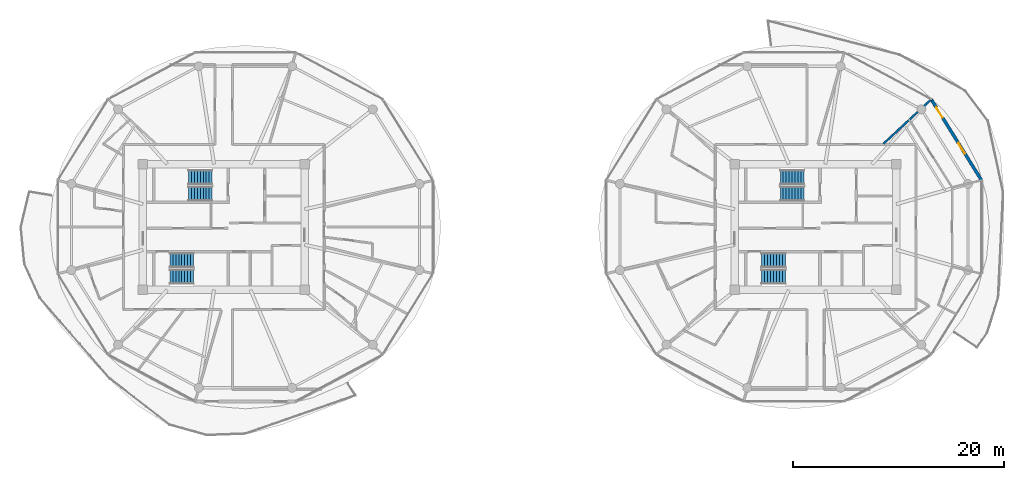
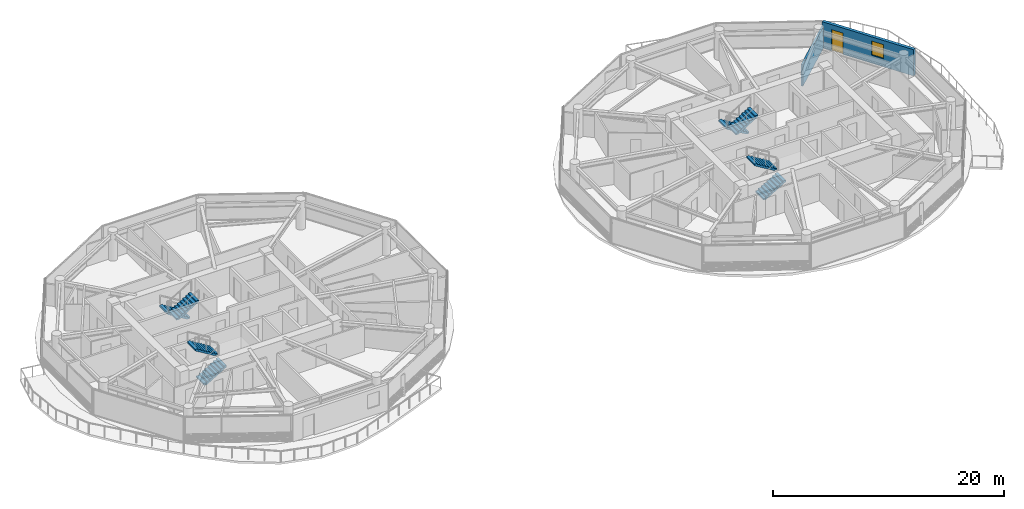
# One storey, part 18 of 24: 8 stair flights, 2 walls, 1 door, 1 window, 2 openings, 4 elements without a shape of their own.
"""IFC4 building model written with IfcOpenShell, lengths in metres."""

import ifcopenshell
import ifcopenshell.guid

model = None  # the IFC model being written
_history = None  # IfcOwnerHistory: only IFC2X3 demands one
_inside = {}  # id of a spatial element -> (the spatial element, [elements in it])
_under = {}  # id of a project, library or spatial element -> (it, [spatial elements below it])
_declared = {}  # id of a project -> (the project, [libraries it declares])
_typed = {}  # id of a type object -> (the type object, [elements of that type])
_made_of = {}  # id of a material, layer set ... -> (it, [elements and type objects made of it])


def new_model(schema):
    """Start an empty IFC model of exactly this schema.

    Asked for "IFC4X3", IfcOpenShell would pick the latest addendum, in which some entities
    have other attributes; the version numbers below select the first issue.
    IFC2X3 requires an IfcOwnerHistory on every rooted entity: one is made here for all.
    """
    global model, _history
    if schema == "IFC4X3":
        model = ifcopenshell.file(schema_version=(4, 3, 0, 0))
    else:
        model = ifcopenshell.file(schema=schema)
    _inside.clear()
    _under.clear()
    _declared.clear()
    _typed.clear()
    _made_of.clear()
    _history = None
    if model.schema == "IFC2X3":
        org = make("IfcOrganization", Name="unknown")
        user = make(
            "IfcPersonAndOrganization",
            ThePerson=make("IfcPerson", FamilyName="unknown"),
            TheOrganization=org,
        )
        app = make(
            "IfcApplication",
            ApplicationDeveloper=org,
            Version="unknown",
            ApplicationFullName="unknown",
            ApplicationIdentifier="unknown",
        )
        _history = make(
            "IfcOwnerHistory",
            OwningUser=user,
            OwningApplication=app,
            ChangeAction="ADDED",
            CreationDate=0,
        )
    return model


def make(cls, **values):
    """One entity of the class cls with the attributes given. An attribute that is None is left unset."""
    return model.create_entity(
        cls, **{name: value for name, value in values.items() if value is not None}
    )


def rooted(cls, **values):
    """An entity with a GlobalId (a new one), such as an element, a storey or a relation."""
    return make(cls, GlobalId=ifcopenshell.guid.new(), OwnerHistory=_history, **values)


def si_unit(unit_type, name, prefix=None):
    """IfcSIUnit, for example si_unit("LENGTHUNIT", "METRE", prefix="MILLI")."""
    return make("IfcSIUnit", UnitType=unit_type, Prefix=prefix, Name=name)


def assignment(units):
    """IfcUnitAssignment: the units of a project."""
    return None if units is None else make("IfcUnitAssignment", Units=units)


def point(xyz):
    """IfcCartesianPoint."""
    return None if xyz is None else make("IfcCartesianPoint", Coordinates=xyz)


def direction(xyz):
    """IfcDirection."""
    return None if xyz is None else make("IfcDirection", DirectionRatios=xyz)


def frame(location, z_axis=None, x_axis=None):
    """IfcAxis2Placement3D, a coordinate frame: its origin and axes. An axis left out is left unset."""
    return make(
        "IfcAxis2Placement3D",
        Location=point(location),
        Axis=direction(z_axis),
        RefDirection=direction(x_axis),
    )


def frame_2d(location, x_axis=None):
    """IfcAxis2Placement2D, a coordinate frame in the plane: its origin and x axis."""
    return make(
        "IfcAxis2Placement2D", Location=point(location), RefDirection=direction(x_axis)
    )


def origin():
    """The frame at (0, 0, 0) with its axes left unset."""
    return frame((0.0, 0.0, 0.0))


def place(relative_to, where):
    """IfcLocalPlacement: puts the frame where relative to a parent placement (None: the world)."""
    return make(
        "IfcLocalPlacement", PlacementRelTo=relative_to, RelativePlacement=where
    )


def context(
    kind, dimensions, precision=None, world=None, true_north=None, identifier=None
):
    """IfcGeometricRepresentationContext, for example the 3D "Model" context."""
    return make(
        "IfcGeometricRepresentationContext",
        ContextIdentifier=identifier,
        ContextType=kind,
        CoordinateSpaceDimension=dimensions,
        Precision=precision,
        WorldCoordinateSystem=world,
        TrueNorth=true_north,
    )


def subcontext(parent, identifier, kind, view, scale=None):
    """IfcGeometricRepresentationSubContext, for example "Body" below "Model"."""
    return make(
        "IfcGeometricRepresentationSubContext",
        ContextIdentifier=identifier,
        ContextType=kind,
        ParentContext=parent,
        TargetScale=scale,
        TargetView=view,
    )


def project(units=None, contexts=None):
    """IfcProject with its units and contexts."""
    return rooted(
        "IfcProject",
        Name="project",
        RepresentationContexts=contexts,
        UnitsInContext=assignment(units),
    )


def spatial(cls, under=None, at=None, **own):
    """A site, building, storey or space (cls), placed at a placement, below another one or the project."""
    s = rooted(cls, ObjectPlacement=at, **own)
    if under is not None:
        _under.setdefault(under.id(), (under, []))[1].append(s)
    return s


def polyline(points):
    """IfcPolyline through the points."""
    return make("IfcPolyline", Points=[point(p) for p in points])


def profile(cls, at=None, kind="AREA", **sizes):
    """A parametric profile (cls). Its sizes go by their IFC names, for example OverallWidth=200.0."""
    return make(cls, ProfileType=kind, Position=at, **sizes)


def rectangle(**sizes):
    """IfcRectangleProfileDef."""
    return profile("IfcRectangleProfileDef", **sizes)


def outline(outer, holes=None, kind="AREA"):
    """IfcArbitraryClosedProfileDef: a profile drawn as a closed curve; with holes, ...WithVoids."""
    if holes is None:
        return make("IfcArbitraryClosedProfileDef", ProfileType=kind, OuterCurve=outer)
    return make(
        "IfcArbitraryProfileDefWithVoids",
        ProfileType=kind,
        OuterCurve=outer,
        InnerCurves=holes,
    )


def extrude(swept, where, along, depth):
    """IfcExtrudedAreaSolid: the profile swept, set in the frame where, extruded along a direction by depth."""
    return make(
        "IfcExtrudedAreaSolid",
        SweptArea=swept,
        Position=where,
        ExtrudedDirection=direction(along),
        Depth=depth,
    )


def shape(context_of_items, identifier, shape_type, items):
    """IfcShapeRepresentation: the items that make up one representation, for example the "Body"."""
    return make(
        "IfcShapeRepresentation",
        ContextOfItems=context_of_items,
        RepresentationIdentifier=identifier,
        RepresentationType=shape_type,
        Items=items,
    )


def source(mapping_origin, context_of_items, identifier, shape_type, items):
    """IfcRepresentationMap: a shape defined once, which mapped items show again and again."""
    return make(
        "IfcRepresentationMap",
        MappingOrigin=mapping_origin,
        MappedRepresentation=shape(context_of_items, identifier, shape_type, items),
    )


def transform(
    local_origin,
    x_axis=None,
    y_axis=None,
    z_axis=None,
    scale=None,
    scale2=None,
    scale3=None,
    uniform=True,
):
    """IfcCartesianTransformationOperator3D, or its non-uniform kind. x_axis, y_axis, z_axis: its Axis1, 2, 3."""
    if uniform:
        return make(
            "IfcCartesianTransformationOperator3D",
            Axis1=direction(x_axis),
            Axis2=direction(y_axis),
            LocalOrigin=point(local_origin),
            Scale=scale,
            Axis3=direction(z_axis),
        )
    return make(
        "IfcCartesianTransformationOperator3DnonUniform",
        Axis1=direction(x_axis),
        Axis2=direction(y_axis),
        LocalOrigin=point(local_origin),
        Scale=scale,
        Axis3=direction(z_axis),
        Scale2=scale2,
        Scale3=scale3,
    )


def mapped(mapping_source, mapping_target):
    """IfcMappedItem: shows the shape of a source again, moved by a transform."""
    return make(
        "IfcMappedItem", MappingSource=mapping_source, MappingTarget=mapping_target
    )


def material(Name=None, Category=None):
    """IfcMaterial."""
    return make("IfcMaterial", Name=Name, Category=Category)


def layer(
    of_material, thickness, ventilated=None, Name=None, Category=None, Priority=None
):
    """IfcMaterialLayer: one layer of a wall or slab, of a material (None: an air gap)."""
    return make(
        "IfcMaterialLayer",
        Material=of_material,
        LayerThickness=thickness,
        IsVentilated=ventilated,
        Name=Name,
        Category=Category,
        Priority=Priority,
    )


def layer_set(layers, Name=None):
    """IfcMaterialLayerSet."""
    return make("IfcMaterialLayerSet", MaterialLayers=layers, LayerSetName=Name)


def made_of(thing, what):
    """Note that an element or type object is made of a material, layer set ...; save() writes the relation."""
    if what is not None:
        _made_of.setdefault(what.id(), (what, []))[1].append(thing)
    return thing


def type_object(cls, material=None, **own):
    """A type object (cls), such as IfcWallType, which elements share."""
    return made_of(rooted(cls, **own), material)


def type_shapes(of_type, sources):
    """Give a type object the sources (RepresentationMaps) that its elements show as mapped items."""
    of_type.RepresentationMaps = sources


def element(
    cls,
    number,
    at=None,
    inside=None,
    cuts=None,
    type_object=None,
    material=None,
    context=None,
    identifier="Body",
    shape_type=None,
    held_by="IfcProductDefinitionShape",
    body=None,
    shapes=None,
    **own,
):
    """One element of the class cls, such as IfcWall. Its Tag is "e" and its number.

    at: its placement. inside: the storey or other place that contains it. cuts: it is an
    opening in that element (IfcRelVoidsElement). A single representation is given by context,
    identifier, shape_type and body (its items); several are given by shapes. held_by: the class
    of the entity that holds the representations. save() writes the other relations.
    """
    e = rooted(cls, Tag="e%d" % number, ObjectPlacement=at, **own)
    if body is not None:
        shapes = [shape(context, identifier, shape_type, body)]
    if shapes is not None:
        e.Representation = make(held_by, Representations=shapes)
    if inside is not None:
        _inside.setdefault(inside.id(), (inside, []))[1].append(e)
    if cuts is not None:
        rooted(
            "IfcRelVoidsElement", RelatingBuildingElement=cuts, RelatedOpeningElement=e
        )
    if type_object is not None:
        _typed.setdefault(type_object.id(), (type_object, []))[1].append(e)
    return made_of(e, material)


def fill(opening, filler):
    """IfcRelFillsElement: the door or window that sits in an opening."""
    return rooted(
        "IfcRelFillsElement",
        RelatingOpeningElement=opening,
        RelatedBuildingElement=filler,
    )


def aggregate(whole, parts):
    """IfcRelAggregates: a whole, such as a stair, and the parts it consists of."""
    return rooted("IfcRelAggregates", RelatingObject=whole, RelatedObjects=parts)


def save(model, path):
    """Write the relations noted so far, then the file.

    IfcRelAggregates (storeys below a building ...), IfcRelContainedInSpatialStructure (elements
    in a storey), IfcRelDefinesByType, IfcRelAssociatesMaterial and IfcRelDeclares: one each for
    every whole, place, type object, material and project.
    """
    for whole, parts in _under.values():
        aggregate(whole, parts)
    for where, things in _inside.values():
        rooted(
            "IfcRelContainedInSpatialStructure",
            RelatedElements=things,
            RelatingStructure=where,
        )
    for kind, things in _typed.values():
        rooted("IfcRelDefinesByType", RelatedObjects=things, RelatingType=kind)
    for what, things in _made_of.values():
        rooted("IfcRelAssociatesMaterial", RelatedObjects=things, RelatingMaterial=what)
    for by, libraries in _declared.values():
        rooted("IfcRelDeclares", RelatingContext=by, RelatedDefinitions=libraries)
    model.write(path)


model = new_model("IFC4")

# Units and contexts
model_context = context("Model", 3, precision=1e-05, world=origin(), true_north=direction((0.0, 1.0)))
body_context = subcontext(model_context, "Body", "Model", "MODEL_VIEW")
ifc_project = project(units=[si_unit("LENGTHUNIT", "METRE"), si_unit("AREAUNIT", "SQUARE_METRE"), si_unit("VOLUMEUNIT", "CUBIC_METRE"), si_unit("PLANEANGLEUNIT", "RADIAN"), si_unit("MASSUNIT", "GRAM", prefix="KILO")], contexts=[model_context])

# Site, building, storey
site_placement = place(None, origin())
site = spatial("IfcSite", under=ifc_project, at=site_placement, CompositionType="ELEMENT")
building_placement = place(site_placement, origin())
building = spatial("IfcBuilding", under=site, at=building_placement, Name="Norrkilde Senior Care Towers", CompositionType="ELEMENT")
storey_placement = place(building_placement, frame((0.0, 0.0, 102.35009765625)))
storey = spatial("IfcBuildingStorey", under=building, at=storey_placement, Name="L31", CompositionType="ELEMENT", Elevation=102.35009765625)

# Wall, openings, door, window
ifc_material_1 = material(Name="Precast concrete C45/55", Category="concrete")
ifc_layer_1 = layer(ifc_material_1, 0.2900390625)
ifc_layer_set_1 = layer_set([ifc_layer_1], Name="Precast concrete C45/55")
wall_type_1 = type_object("IfcWallType", Name="Winter Garden Facade Wall 290", PredefinedType="SOLIDWALL", material=ifc_layer_set_1)
shared_shape_1 = source(origin(), body_context, "Body", "SweptSolid", [
    extrude(rectangle(XDim=9.01416015625, YDim=0.2900390625, at=frame_2d((4.507080078125, 0.0))), origin(), (0.0, 0.0, 1.0), 2.789794921875),
])
type_shapes(wall_type_1, [shared_shape_1])
wall_1_placement = place(storey_placement, frame((38.946533203125, 12.077392578125, 0.0), z_axis=(0.0, 0.0, 1.0), x_axis=(0.527732945084, -0.849410347637, 0.0)))
wall_1 = element("IfcWall", 1, at=wall_1_placement, inside=storey, type_object=wall_type_1, Name="L31 Drum E Balcony Access Wall 00", PredefinedType="SOLIDWALL", context=body_context, shape_type="MappedRepresentation", body=[
    mapped(shared_shape_1, transform((0.0, 0.0, 0.0), x_axis=(1.0, 0.0, 0.0), y_axis=(0.0, 1.0, 0.0), z_axis=(0.0, 0.0, 1.0), scale=1.0)),
])
opening_1_placement = place(wall_1_placement, frame((0.89990234375, 0.0, 0.0)))
opening_1 = element("IfcOpeningElement", 2, at=opening_1_placement, cuts=wall_1, Name="Opening D-09", PredefinedType="OPENING", context=body_context, shape_type="SweptSolid", body=[
    extrude(rectangle(XDim=1.14990234375, YDim=2.25, at=frame_2d((0.574951171875, 1.125))), frame((0.0, 0.155029296875, 0.0), z_axis=(0.0, -1.0, 0.0), x_axis=(1.0, 0.0, 0.0)), (0.0, 0.0, 1.0), 0.31005859375),
])
opening_2_placement = place(wall_1_placement, frame((4.857177734375, 0.0, 0.85009765625)))
opening_2 = element("IfcOpeningElement", 3, at=opening_2_placement, cuts=wall_1, Name="Opening WN-07", PredefinedType="OPENING", context=body_context, shape_type="SweptSolid", body=[
    extrude(rectangle(XDim=1.199951171875, YDim=1.5, at=frame_2d((0.60009765625, 0.75))), frame((0.0, 0.155029296875, 0.0), z_axis=(0.0, -1.0, 0.0), x_axis=(1.0, 0.0, 0.0)), (0.0, 0.0, 1.0), 0.31005859375),
])
ifc_material_2 = material(Name="Anodised Aluminium", Category="aluminium")
door_type = type_object("IfcDoorType", Name="Terrace and Balcony Glazed Door 1150x2250", OperationType="NOTDEFINED", PredefinedType="DOOR", material=ifc_material_2)
shared_shape_2 = source(origin(), body_context, "Body", "SweptSolid", [
    extrude(rectangle(XDim=1.14990234375, YDim=2.25, at=frame_2d((0.574951171875, 1.125))), frame((0.0, 0.02490234375, 0.0), z_axis=(0.0, -1.0, 0.0), x_axis=(1.0, 0.0, 0.0)), (0.0, 0.0, 1.0), 0.050048828125),
])
type_shapes(door_type, [shared_shape_2])
door_placement = place(opening_1_placement, origin())
door = element("IfcDoor", 4, at=door_placement, inside=storey, type_object=door_type, Name="L31 Drum E Outdoor Terrace Door 00", OperationType="SINGLE_SWING_LEFT", OverallHeight=2.25, OverallWidth=1.14990234375, PredefinedType="DOOR", context=body_context, shape_type="MappedRepresentation", body=[
    mapped(shared_shape_2, transform((0.0, 0.0, 0.0), x_axis=(1.0, 0.0, 0.0), y_axis=(0.0, 1.0, 0.0), z_axis=(0.0, 0.0, 1.0), scale=1.0)),
])
fill(opening_1, door)
ifc_material_3 = material(Name="Triple Low-E Insulated Glazing", Category="glass")
window_type = type_object("IfcWindowType", Name="Stairwell Smoke Vent Window 1200x1500", PartitioningType="SINGLE_PANEL", PredefinedType="WINDOW", material=ifc_material_3)
shared_shape_3 = source(origin(), body_context, "Body", "SweptSolid", [
    extrude(rectangle(XDim=1.199951171875, YDim=1.5, at=frame_2d((0.60009765625, 0.75))), frame((0.0, 0.030029296875, 0.0), z_axis=(0.0, -1.0, 0.0), x_axis=(1.0, 0.0, 0.0)), (0.0, 0.0, 1.0), 0.06005859375),
])
type_shapes(window_type, [shared_shape_3])
window_placement = place(opening_2_placement, origin())
window = element("IfcWindow", 5, at=window_placement, inside=storey, type_object=window_type, Name="L31 Drum E Winter Garden Window 00", OverallHeight=1.5, OverallWidth=1.199951171875, PartitioningType="SINGLE_PANEL", PredefinedType="WINDOW", context=body_context, shape_type="MappedRepresentation", body=[
    mapped(shared_shape_3, transform((0.0, 0.0, 0.0), x_axis=(1.0, 0.0, 0.0), y_axis=(0.0, 1.0, 0.0), z_axis=(0.0, 0.0, 1.0), scale=1.0)),
])
fill(opening_2, window)

# Wall
ifc_material_4 = material(Name="Gypsum Acoustic Board")
ifc_layer_2 = layer(ifc_material_4, 0.18994140625)
ifc_layer_set_2 = layer_set([ifc_layer_2], Name="Gypsum Acoustic Board")
wall_type_2 = type_object("IfcWallType", Name="Unit Demising Acoustic Wall 190", PredefinedType="PARTITIONING", material=ifc_layer_set_2)
shared_shape_4 = source(origin(), body_context, "Body", "SweptSolid", [
    extrude(rectangle(XDim=6.186767578125, YDim=0.18994140625, at=frame_2d((3.09326171875, 0.0))), origin(), (0.0, 0.0, 1.0), 2.27490234375),
])
type_shapes(wall_type_2, [shared_shape_4])
wall_2_placement = place(storey_placement, frame((34.428955078125, 7.8798828125, 0.0), z_axis=(0.0, 0.0, 1.0), x_axis=(0.732501077882, 0.680765870841, 0.0)))
element("IfcWall", 6, at=wall_2_placement, inside=storey, type_object=wall_type_2, Name="WL-INT-L31-E-DEM-01-0", PredefinedType="PARTITIONING", context=body_context, shape_type="MappedRepresentation", body=[
    mapped(shared_shape_4, transform((0.0, 0.0, 0.0), x_axis=(1.0, 0.0, 0.0), y_axis=(0.0, 1.0, 0.0), z_axis=(0.0, 0.0, 1.0), scale=1.0)),
])

# Stair, stair flights
ifc_material_5 = material(Name="Concrete C45/55", Category="concrete")
stair_type = type_object("IfcStairType", Name="Core Protected Dogleg Stair Typical 3050", PredefinedType="HALF_TURN_STAIR", material=ifc_material_5)
stair_1_placement = place(storey_placement, origin())
stair_1 = element("IfcStair", 7, at=stair_1_placement, inside=storey, type_object=stair_type, Name="L31 Protected Core Stair W1", PredefinedType="HALF_TURN_STAIR")
stair_flight_type = type_object("IfcStairFlightType", Name="Core Protected Dogleg Stair Typical 3050 Flight", PredefinedType="STRAIGHT", material=ifc_material_5)
stair_flight_1_placement = place(storey_placement, frame((-29.10009765625, 4.699951171875, 0.0), z_axis=(0.0, 0.0, 1.0), x_axis=(-1.0, 0.0, 0.0)))
stair_flight_1 = element("IfcStairFlight", 8, at=stair_flight_1_placement, type_object=stair_flight_type, Name="ST-W1 flight 1", NumberOfRisers=9, NumberOfTreads=8, PredefinedType="STRAIGHT", RiserHeight=0.169444444, TreadLength=0.28, context=body_context, shape_type="SweptSolid", body=[
    extrude(outline(polyline([(0.0, 0.0), (0.0, 0.16943359375), (0.280029296875, 0.16943359375), (0.280029296875, 0.3388671875), (0.56005859375, 0.3388671875), (0.56005859375, 0.50830078125), (0.840087890625, 0.50830078125), (0.840087890625, 0.677734375), (1.1201171875, 0.677734375), (1.1201171875, 0.84716796875), (1.39990234375, 0.84716796875), (1.39990234375, 1.0166015625), (1.679931640625, 1.0166015625), (1.679931640625, 1.18603515625), (1.9599609375, 1.18603515625), (1.9599609375, 1.35546875), (2.239990234375, 1.35546875), (2.239990234375, 1.52490234375), (2.239990234375, 1.180419921875), (0.28955078125, 0.0), (0.0, 0.0)])), frame((0.0, 0.699951171875, 0.0), z_axis=(0.0, -1.0, 0.0), x_axis=(1.0, 0.0, 0.0)), (0.0, 0.0, 1.0), 1.39990234375),
])
stair_flight_2_placement = place(storey_placement, frame((-31.340087890625, 3.14990234375, 1.52490234375), z_axis=(0.0, 0.0, 1.0), x_axis=(1.0, 0.0, 0.0)))
stair_flight_2 = element("IfcStairFlight", 9, at=stair_flight_2_placement, type_object=stair_flight_type, Name="ST-W1 flight 2", NumberOfRisers=9, NumberOfTreads=8, PredefinedType="STRAIGHT", RiserHeight=0.169444444, TreadLength=0.28, context=body_context, shape_type="SweptSolid", body=[
    extrude(outline(polyline([(0.0, 0.0), (0.0, 0.16943359375), (0.280029296875, 0.16943359375), (0.280029296875, 0.3388671875), (0.56005859375, 0.3388671875), (0.56005859375, 0.50830078125), (0.840087890625, 0.50830078125), (0.840087890625, 0.677734375), (1.1201171875, 0.677734375), (1.1201171875, 0.84716796875), (1.39990234375, 0.84716796875), (1.39990234375, 1.0166015625), (1.679931640625, 1.0166015625), (1.679931640625, 1.18603515625), (1.9599609375, 1.18603515625), (1.9599609375, 1.35546875), (2.239990234375, 1.35546875), (2.239990234375, 1.52490234375), (2.239990234375, 1.180419921875), (0.28955078125, 0.0), (0.0, 0.0)])), frame((0.0, 0.699951171875, 0.0), z_axis=(0.0, -1.0, 0.0), x_axis=(1.0, 0.0, 0.0)), (0.0, 0.0, 1.0), 1.39990234375),
])
aggregate(stair_1, [stair_flight_1, stair_flight_2])

stair_2_placement = place(storey_placement, origin())
stair_2 = element("IfcStair", 10, at=stair_2_placement, inside=storey, type_object=stair_type, Name="L31 Protected Core Stair W2", PredefinedType="HALF_TURN_STAIR")
stair_flight_3_placement = place(storey_placement, frame((-33.10009765625, -4.699951171875, 0.0), z_axis=(0.0, 0.0, 1.0), x_axis=(1.0, 0.0, 0.0)))
stair_flight_3 = element("IfcStairFlight", 11, at=stair_flight_3_placement, type_object=stair_flight_type, Name="ST-W2 flight 1", NumberOfRisers=9, NumberOfTreads=8, PredefinedType="STRAIGHT", RiserHeight=0.169444444, TreadLength=0.28, context=body_context, shape_type="SweptSolid", body=[
    extrude(outline(polyline([(0.0, 0.0), (0.0, 0.16943359375), (0.280029296875, 0.16943359375), (0.280029296875, 0.3388671875), (0.56005859375, 0.3388671875), (0.56005859375, 0.50830078125), (0.840087890625, 0.50830078125), (0.840087890625, 0.677734375), (1.1201171875, 0.677734375), (1.1201171875, 0.84716796875), (1.39990234375, 0.84716796875), (1.39990234375, 1.0166015625), (1.679931640625, 1.0166015625), (1.679931640625, 1.18603515625), (1.9599609375, 1.18603515625), (1.9599609375, 1.35546875), (2.239990234375, 1.35546875), (2.239990234375, 1.52490234375), (2.239990234375, 1.180419921875), (0.28955078125, 0.0), (0.0, 0.0)])), frame((0.0, 0.699951171875, 0.0), z_axis=(0.0, -1.0, 0.0), x_axis=(1.0, 0.0, 0.0)), (0.0, 0.0, 1.0), 1.39990234375),
])
stair_flight_4_placement = place(storey_placement, frame((-30.860107421875, -3.14990234375, 1.52490234375), z_axis=(0.0, 0.0, 1.0), x_axis=(-1.0, 0.0, 0.0)))
stair_flight_4 = element("IfcStairFlight", 12, at=stair_flight_4_placement, type_object=stair_flight_type, Name="ST-W2 flight 2", NumberOfRisers=9, NumberOfTreads=8, PredefinedType="STRAIGHT", RiserHeight=0.169444444, TreadLength=0.28, context=body_context, shape_type="SweptSolid", body=[
    extrude(outline(polyline([(0.0, 0.0), (0.0, 0.16943359375), (0.280029296875, 0.16943359375), (0.280029296875, 0.3388671875), (0.56005859375, 0.3388671875), (0.56005859375, 0.50830078125), (0.840087890625, 0.50830078125), (0.840087890625, 0.677734375), (1.1201171875, 0.677734375), (1.1201171875, 0.84716796875), (1.39990234375, 0.84716796875), (1.39990234375, 1.0166015625), (1.679931640625, 1.0166015625), (1.679931640625, 1.18603515625), (1.9599609375, 1.18603515625), (1.9599609375, 1.35546875), (2.239990234375, 1.35546875), (2.239990234375, 1.52490234375), (2.239990234375, 1.180419921875), (0.28955078125, 0.0), (0.0, 0.0)])), frame((0.0, 0.699951171875, 0.0), z_axis=(0.0, -1.0, 0.0), x_axis=(1.0, 0.0, 0.0)), (0.0, 0.0, 1.0), 1.39990234375),
])
aggregate(stair_2, [stair_flight_3, stair_flight_4])

stair_3_placement = place(storey_placement, origin())
stair_3 = element("IfcStair", 13, at=stair_3_placement, inside=storey, type_object=stair_type, Name="L31 Protected Core Stair E1", PredefinedType="HALF_TURN_STAIR")
stair_flight_5_placement = place(storey_placement, frame((26.89990234375, 4.699951171875, 0.0), z_axis=(0.0, 0.0, 1.0), x_axis=(-1.0, 0.0, 0.0)))
stair_flight_5 = element("IfcStairFlight", 14, at=stair_flight_5_placement, type_object=stair_flight_type, Name="ST-E1 flight 1", NumberOfRisers=9, NumberOfTreads=8, PredefinedType="STRAIGHT", RiserHeight=0.169444444, TreadLength=0.28, context=body_context, shape_type="SweptSolid", body=[
    extrude(outline(polyline([(0.0, 0.0), (0.0, 0.16943359375), (0.280029296875, 0.16943359375), (0.280029296875, 0.3388671875), (0.56005859375, 0.3388671875), (0.56005859375, 0.50830078125), (0.840087890625, 0.50830078125), (0.840087890625, 0.677734375), (1.1201171875, 0.677734375), (1.1201171875, 0.84716796875), (1.39990234375, 0.84716796875), (1.39990234375, 1.0166015625), (1.679931640625, 1.0166015625), (1.679931640625, 1.18603515625), (1.9599609375, 1.18603515625), (1.9599609375, 1.35546875), (2.239990234375, 1.35546875), (2.239990234375, 1.52490234375), (2.239990234375, 1.180419921875), (0.28955078125, 0.0), (0.0, 0.0)])), frame((0.0, 0.699951171875, 0.0), z_axis=(0.0, -1.0, 0.0), x_axis=(1.0, 0.0, 0.0)), (0.0, 0.0, 1.0), 1.39990234375),
])
stair_flight_6_placement = place(storey_placement, frame((24.659912109375, 3.14990234375, 1.52490234375), z_axis=(0.0, 0.0, 1.0), x_axis=(1.0, 0.0, 0.0)))
stair_flight_6 = element("IfcStairFlight", 15, at=stair_flight_6_placement, type_object=stair_flight_type, Name="ST-E1 flight 2", NumberOfRisers=9, NumberOfTreads=8, PredefinedType="STRAIGHT", RiserHeight=0.169444444, TreadLength=0.28, context=body_context, shape_type="SweptSolid", body=[
    extrude(outline(polyline([(0.0, 0.0), (0.0, 0.16943359375), (0.280029296875, 0.16943359375), (0.280029296875, 0.3388671875), (0.56005859375, 0.3388671875), (0.56005859375, 0.50830078125), (0.840087890625, 0.50830078125), (0.840087890625, 0.677734375), (1.1201171875, 0.677734375), (1.1201171875, 0.84716796875), (1.39990234375, 0.84716796875), (1.39990234375, 1.0166015625), (1.679931640625, 1.0166015625), (1.679931640625, 1.18603515625), (1.9599609375, 1.18603515625), (1.9599609375, 1.35546875), (2.239990234375, 1.35546875), (2.239990234375, 1.52490234375), (2.239990234375, 1.180419921875), (0.28955078125, 0.0), (0.0, 0.0)])), frame((0.0, 0.699951171875, 0.0), z_axis=(0.0, -1.0, 0.0), x_axis=(1.0, 0.0, 0.0)), (0.0, 0.0, 1.0), 1.39990234375),
])
aggregate(stair_3, [stair_flight_5, stair_flight_6])

stair_4_placement = place(storey_placement, origin())
stair_4 = element("IfcStair", 16, at=stair_4_placement, inside=storey, type_object=stair_type, Name="L31 Protected Core Stair E2", PredefinedType="HALF_TURN_STAIR")
stair_flight_7_placement = place(storey_placement, frame((22.89990234375, -4.699951171875, 0.0), z_axis=(0.0, 0.0, 1.0), x_axis=(1.0, 0.0, 0.0)))
stair_flight_7 = element("IfcStairFlight", 17, at=stair_flight_7_placement, type_object=stair_flight_type, Name="ST-E2 flight 1", NumberOfRisers=9, NumberOfTreads=8, PredefinedType="STRAIGHT", RiserHeight=0.169444444, TreadLength=0.28, context=body_context, shape_type="SweptSolid", body=[
    extrude(outline(polyline([(0.0, 0.0), (0.0, 0.16943359375), (0.280029296875, 0.16943359375), (0.280029296875, 0.3388671875), (0.56005859375, 0.3388671875), (0.56005859375, 0.50830078125), (0.840087890625, 0.50830078125), (0.840087890625, 0.677734375), (1.1201171875, 0.677734375), (1.1201171875, 0.84716796875), (1.39990234375, 0.84716796875), (1.39990234375, 1.0166015625), (1.679931640625, 1.0166015625), (1.679931640625, 1.18603515625), (1.9599609375, 1.18603515625), (1.9599609375, 1.35546875), (2.239990234375, 1.35546875), (2.239990234375, 1.52490234375), (2.239990234375, 1.180419921875), (0.28955078125, 0.0), (0.0, 0.0)])), frame((0.0, 0.699951171875, 0.0), z_axis=(0.0, -1.0, 0.0), x_axis=(1.0, 0.0, 0.0)), (0.0, 0.0, 1.0), 1.39990234375),
])
stair_flight_8_placement = place(storey_placement, frame((25.139892578125, -3.14990234375, 1.52490234375), z_axis=(0.0, 0.0, 1.0), x_axis=(-1.0, 0.0, 0.0)))
stair_flight_8 = element("IfcStairFlight", 18, at=stair_flight_8_placement, type_object=stair_flight_type, Name="ST-E2 flight 2", NumberOfRisers=9, NumberOfTreads=8, PredefinedType="STRAIGHT", RiserHeight=0.169444444, TreadLength=0.28, context=body_context, shape_type="SweptSolid", body=[
    extrude(outline(polyline([(0.0, 0.0), (0.0, 0.16943359375), (0.280029296875, 0.16943359375), (0.280029296875, 0.3388671875), (0.56005859375, 0.3388671875), (0.56005859375, 0.50830078125), (0.840087890625, 0.50830078125), (0.840087890625, 0.677734375), (1.1201171875, 0.677734375), (1.1201171875, 0.84716796875), (1.39990234375, 0.84716796875), (1.39990234375, 1.0166015625), (1.679931640625, 1.0166015625), (1.679931640625, 1.18603515625), (1.9599609375, 1.18603515625), (1.9599609375, 1.35546875), (2.239990234375, 1.35546875), (2.239990234375, 1.52490234375), (2.239990234375, 1.180419921875), (0.28955078125, 0.0), (0.0, 0.0)])), frame((0.0, 0.699951171875, 0.0), z_axis=(0.0, -1.0, 0.0), x_axis=(1.0, 0.0, 0.0)), (0.0, 0.0, 1.0), 1.39990234375),
])
aggregate(stair_4, [stair_flight_7, stair_flight_8])

save(model, "model.ifc")
